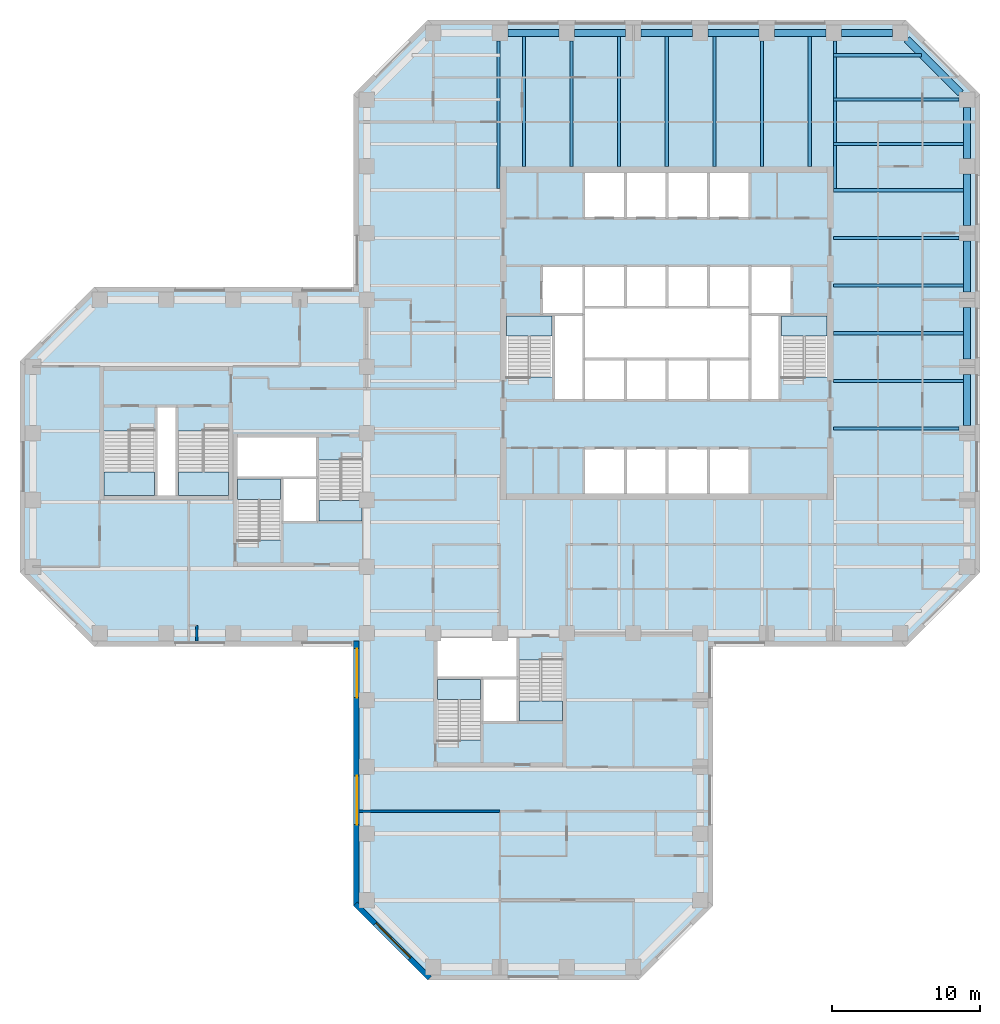
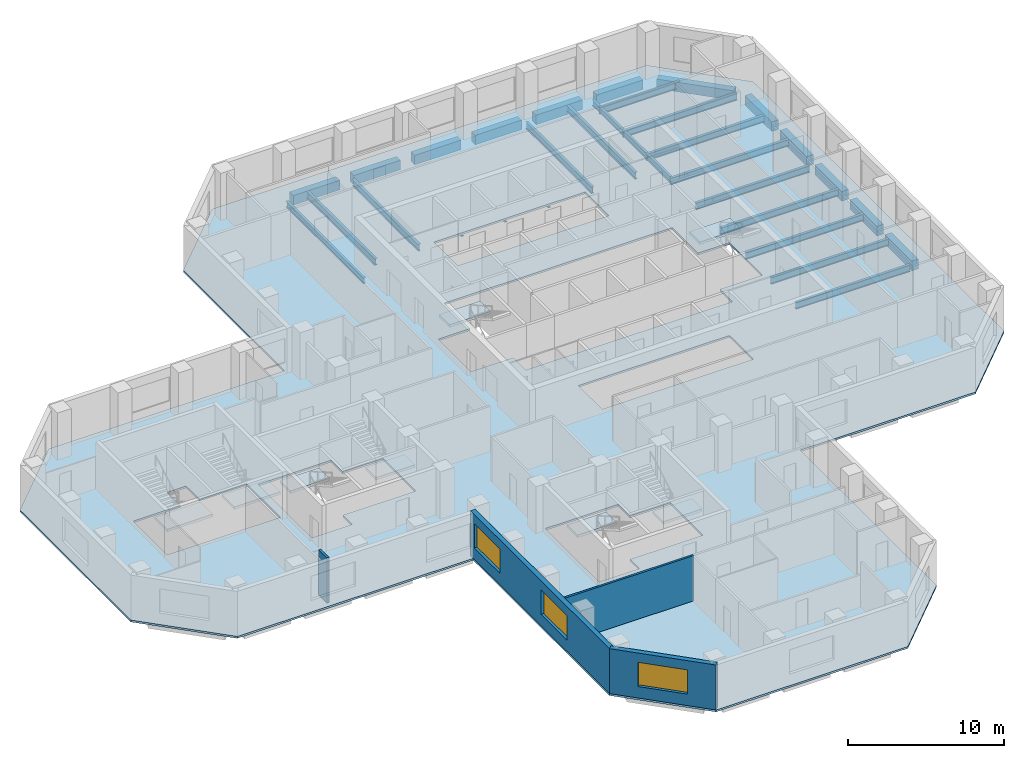
# One storey, part 2 of 11: 30 beams, 9 slabs, 4 walls, 3 windows, 3 openings, 8 elements without a shape of their own.
"""IFC4 building model written with IfcOpenShell, lengths in metres."""

from ifc_helpers import new_model, si_unit, direction, frame, frame_2d, origin, origin_2d, place, context, subcontext, project, spatial, polyline, rectangle, i_section, outline, extrude, material, layer, layer_set, constituent, constituent_set, material_profile, profile_set, type_object, element, fill, aggregate, save


model = new_model("IFC4")

# Units and contexts
model_context = context("Model", 3, precision=1e-05, world=origin(), true_north=direction((0.0, 1.0)))
body_context = subcontext(model_context, "Body", "Model", "MODEL_VIEW")
ifc_project = project(units=[si_unit("LENGTHUNIT", "METRE"), si_unit("AREAUNIT", "SQUARE_METRE"), si_unit("VOLUMEUNIT", "CUBIC_METRE"), si_unit("PLANEANGLEUNIT", "RADIAN"), si_unit("MASSUNIT", "GRAM", prefix="KILO")], contexts=[model_context])

# Site, building, storey
site_placement = place(None, origin())
site = spatial("IfcSite", under=ifc_project, at=site_placement, CompositionType="ELEMENT")
building_placement = place(site_placement, origin())
building = spatial("IfcBuilding", under=site, at=building_placement, Name="Quoin Convention Tower", CompositionType="ELEMENT")
storey_placement = place(building_placement, frame((0.0, 0.0, 101.10009765625)))
storey = spatial("IfcBuildingStorey", under=building, at=storey_placement, Name="L26", CompositionType="ELEMENT", Elevation=101.10009765625)

# Beams
ifc_material_1 = material(Name="Steel Grade 300", Category="steel")
ifc_material_profile_1 = material_profile(ifc_material_1, i_section(OverallWidth=0.18994140625, OverallDepth=0.4541015625, WebThickness=0.008544921875, FlangeThickness=0.0126953125, FilletRadius=0.011474609375, at=origin_2d()), Name="460UB67.1")
ifc_profile_set_1 = profile_set([ifc_material_profile_1], Name="Steel Grade 300")
beam_type_1 = type_object("IfcBeamType", Name="460UB67.1", PredefinedType="BEAM", material=ifc_profile_set_1)
for number, where, z_axis, x_axis, name in (
    (1, (44.8955078125, 80.47509765625, -0.377197265625), (0.0, -1.0, 0.0), (1.0, 0.0, 0.0), "gir-L26-T1NW"),
    (2, (67.6044921875, 80.47509765625, -0.377197265625), (0.0, -1.0, 0.0), (1.0, 0.0, 0.0), "gir-L26-T1NE"),
):
    element("IfcBeam", number, at=place(storey_placement, frame(where, z_axis=z_axis, x_axis=x_axis)), inside=storey, type_object=beam_type_1, Name=name, PredefinedType="BEAM", context=body_context, shape_type="SweptSolid", body=[
        extrude(i_section(OverallWidth=0.18994140625, OverallDepth=0.4541015625, WebThickness=0.008544921875, FlangeThickness=0.0126953125, FilletRadius=0.011474609375, at=origin_2d()), origin(), (0.0, 0.0, 1.0), 9.977783203125),
    ])
ifc_material_profile_2 = material_profile(ifc_material_1, i_section(OverallWidth=0.208984375, OverallDepth=0.528076171875, WebThickness=0.009521484375, FlangeThickness=0.01318359375, FilletRadius=0.013916015625, at=origin_2d()), Name="530UB82.0")
ifc_profile_set_2 = profile_set([ifc_material_profile_2], Name="Steel Grade 300")
beam_type_2 = type_object("IfcBeamType", Name="530UB82.0", PredefinedType="BEAM", material=ifc_profile_set_2)
beam_1_placement = place(storey_placement, frame((67.5, 54.3212890625, -0.4140625), z_axis=(1.0, 0.0, 0.0), x_axis=(0.0, 1.0, 0.0)))
element("IfcBeam", 3, at=beam_1_placement, inside=storey, type_object=beam_type_2, Name="bm-L26-T1E1", PredefinedType="BEAM", context=body_context, shape_type="SweptSolid", body=[
    extrude(i_section(OverallWidth=0.208984375, OverallDepth=0.528076171875, WebThickness=0.009521484375, FlangeThickness=0.01318359375, FilletRadius=0.013916015625, at=origin_2d()), origin(), (0.0, 0.0, 1.0), 8.47509765625),
])
for number, where, z_axis, x_axis, name in (
    (4, (67.5, 57.53564453125, -0.4140625), (1.0, 0.0, 0.0), (0.0, 1.0, 0.0), "bm-L26-T1E2"),
    (5, (67.5, 60.75, -0.4140625), (1.0, 0.0, 0.0), (0.0, 1.0, 0.0), "bm-L26-T1E3"),
    (6, (67.5, 63.96435546875, -0.4140625), (1.0, 0.0, 0.0), (0.0, 1.0, 0.0), "bm-L26-T1E4"),
):
    element("IfcBeam", number, at=place(storey_placement, frame(where, z_axis=z_axis, x_axis=x_axis)), inside=storey, type_object=beam_type_2, Name=name, PredefinedType="BEAM", context=body_context, shape_type="SweptSolid", body=[
        extrude(i_section(OverallWidth=0.208984375, OverallDepth=0.528076171875, WebThickness=0.009521484375, FlangeThickness=0.01318359375, FilletRadius=0.013916015625, at=origin_2d()), origin(), (0.0, 0.0, 1.0), 8.75),
    ])
beam_2_placement = place(storey_placement, frame((67.5, 67.1787109375, -0.4140625), z_axis=(1.0, 0.0, 0.0), x_axis=(0.0, 1.0, 0.0)))
element("IfcBeam", 7, at=beam_2_placement, inside=storey, type_object=beam_type_2, Name="bm-L26-T1E5", PredefinedType="BEAM", context=body_context, shape_type="SweptSolid", body=[
    extrude(i_section(OverallWidth=0.208984375, OverallDepth=0.528076171875, WebThickness=0.009521484375, FlangeThickness=0.01318359375, FilletRadius=0.013916015625, at=origin_2d()), origin(), (0.0, 0.0, 1.0), 8.47509765625),
])
for number, where, z_axis, x_axis, name in (
    (8, (67.5, 70.392822265625, -0.4140625), (1.0, 0.0, 0.0), (0.0, 1.0, 0.0), "bm-L26-T1E6"),
    (9, (46.607177734375, 72.0, -0.4140625), (0.0, 1.0, 0.0), (-1.0, 0.0, 0.0), "bm-L26-T1N0"),
):
    element("IfcBeam", number, at=place(storey_placement, frame(where, z_axis=z_axis, x_axis=x_axis)), inside=storey, type_object=beam_type_2, Name=name, PredefinedType="BEAM", context=body_context, shape_type="SweptSolid", body=[
        extrude(i_section(OverallWidth=0.208984375, OverallDepth=0.528076171875, WebThickness=0.009521484375, FlangeThickness=0.01318359375, FilletRadius=0.013916015625, at=origin_2d()), origin(), (0.0, 0.0, 1.0), 8.75),
    ])
beam_3_placement = place(storey_placement, frame((49.8212890625, 72.0, -0.4140625), z_axis=(0.0, 1.0, 0.0), x_axis=(-1.0, 0.0, 0.0)))
element("IfcBeam", 10, at=beam_3_placement, inside=storey, type_object=beam_type_2, Name="bm-L26-T1N1", PredefinedType="BEAM", context=body_context, shape_type="SweptSolid", body=[
    extrude(i_section(OverallWidth=0.208984375, OverallDepth=0.528076171875, WebThickness=0.009521484375, FlangeThickness=0.01318359375, FilletRadius=0.013916015625, at=origin_2d()), origin(), (0.0, 0.0, 1.0), 8.47509765625),
])
for number, where, z_axis, x_axis, name in (
    (11, (53.03564453125, 72.0, -0.4140625), (0.0, 1.0, 0.0), (-1.0, 0.0, 0.0), "bm-L26-T1N2"),
    (12, (56.25, 72.0, -0.4140625), (0.0, 1.0, 0.0), (-1.0, 0.0, 0.0), "bm-L26-T1N3"),
    (13, (59.46435546875, 72.0, -0.4140625), (0.0, 1.0, 0.0), (-1.0, 0.0, 0.0), "bm-L26-T1N4"),
):
    element("IfcBeam", number, at=place(storey_placement, frame(where, z_axis=z_axis, x_axis=x_axis)), inside=storey, type_object=beam_type_2, Name=name, PredefinedType="BEAM", context=body_context, shape_type="SweptSolid", body=[
        extrude(i_section(OverallWidth=0.208984375, OverallDepth=0.528076171875, WebThickness=0.009521484375, FlangeThickness=0.01318359375, FilletRadius=0.013916015625, at=origin_2d()), origin(), (0.0, 0.0, 1.0), 8.75),
    ])
beam_4_placement = place(storey_placement, frame((62.6787109375, 72.0, -0.4140625), z_axis=(0.0, 1.0, 0.0), x_axis=(-1.0, 0.0, 0.0)))
element("IfcBeam", 14, at=beam_4_placement, inside=storey, type_object=beam_type_2, Name="bm-L26-T1N5", PredefinedType="BEAM", context=body_context, shape_type="SweptSolid", body=[
    extrude(i_section(OverallWidth=0.208984375, OverallDepth=0.528076171875, WebThickness=0.009521484375, FlangeThickness=0.01318359375, FilletRadius=0.013916015625, at=origin_2d()), origin(), (0.0, 0.0, 1.0), 8.47509765625),
])
beam_5_placement = place(storey_placement, frame((65.892822265625, 72.0, -0.4140625), z_axis=(0.0, 1.0, 0.0), x_axis=(-1.0, 0.0, 0.0)))
element("IfcBeam", 15, at=beam_5_placement, inside=storey, type_object=beam_type_2, Name="bm-L26-T1N6", PredefinedType="BEAM", context=body_context, shape_type="SweptSolid", body=[
    extrude(i_section(OverallWidth=0.208984375, OverallDepth=0.528076171875, WebThickness=0.009521484375, FlangeThickness=0.01318359375, FilletRadius=0.013916015625, at=origin_2d()), origin(), (0.0, 0.0, 1.0), 8.75),
])
beam_6_placement = place(storey_placement, frame((67.5, 79.5, -0.4140625), z_axis=(1.0, 0.0, 0.0), x_axis=(0.0, 1.0, 0.0)))
element("IfcBeam", 16, at=beam_6_placement, inside=storey, type_object=beam_type_2, Name="bm-L26-T1NE0", PredefinedType="BEAM", context=body_context, shape_type="SweptSolid", body=[
    extrude(i_section(OverallWidth=0.208984375, OverallDepth=0.528076171875, WebThickness=0.009521484375, FlangeThickness=0.01318359375, FilletRadius=0.013916015625, at=origin_2d()), origin(), (0.0, 0.0, 1.0), 5.927734375),
])
beam_7_placement = place(storey_placement, frame((67.5, 76.5, -0.4140625), z_axis=(1.0, 0.0, 0.0), x_axis=(0.0, 1.0, 0.0)))
element("IfcBeam", 17, at=beam_7_placement, inside=storey, type_object=beam_type_2, Name="bm-L26-T1NE1", PredefinedType="BEAM", context=body_context, shape_type="SweptSolid", body=[
    extrude(i_section(OverallWidth=0.208984375, OverallDepth=0.528076171875, WebThickness=0.009521484375, FlangeThickness=0.01318359375, FilletRadius=0.013916015625, at=origin_2d()), origin(), (0.0, 0.0, 1.0), 8.47509765625),
])
beam_8_placement = place(storey_placement, frame((67.5, 73.5, -0.4140625), z_axis=(1.0, 0.0, 0.0), x_axis=(0.0, 1.0, 0.0)))
element("IfcBeam", 18, at=beam_8_placement, inside=storey, type_object=beam_type_2, Name="bm-L26-T1NE2", PredefinedType="BEAM", context=body_context, shape_type="SweptSolid", body=[
    extrude(i_section(OverallWidth=0.208984375, OverallDepth=0.528076171875, WebThickness=0.009521484375, FlangeThickness=0.01318359375, FilletRadius=0.013916015625, at=origin_2d()), origin(), (0.0, 0.0, 1.0), 8.75),
])
ifc_material_2 = material(Name="Concrete C65", Category="concrete")
ifc_material_profile_3 = material_profile(ifc_material_2, rectangle(XDim=0.5, YDim=0.75, at=origin_2d()), Name="RC 500x750")
ifc_profile_set_3 = profile_set([ifc_material_profile_3], Name="Concrete C65")
beam_type_3 = type_object("IfcBeamType", Name="RC 500x750 C65", PredefinedType="SPANDREL", material=ifc_profile_set_3)
for number, where, z_axis, x_axis, name in (
    (19, (76.5, 54.52490234375, -0.525146484375), (0.0, 1.0, 0.0), (-1.0, 0.0, 0.0), "spd-L26-76500_54000-76500_58500"),
    (20, (76.5, 59.02490234375, -0.525146484375), (0.0, 1.0, 0.0), (-1.0, 0.0, 0.0), "spd-L26-76500_58500-76500_63000"),
    (21, (76.5, 63.52490234375, -0.525146484375), (0.0, 1.0, 0.0), (-1.0, 0.0, 0.0), "spd-L26-76500_63000-76500_67500"),
    (22, (76.5, 68.02490234375, -0.525146484375), (0.0, 1.0, 0.0), (-1.0, 0.0, 0.0), "spd-L26-76500_67500-76500_72000"),
    (23, (76.5, 72.52490234375, -0.525146484375), (0.0, 1.0, 0.0), (-1.0, 0.0, 0.0), "spd-L26-76500_72000-76500_76500"),
):
    element("IfcBeam", number, at=place(storey_placement, frame(where, z_axis=z_axis, x_axis=x_axis)), inside=storey, type_object=beam_type_3, Name=name, PredefinedType="SPANDREL", context=body_context, shape_type="SweptSolid", body=[
        extrude(rectangle(XDim=0.5, YDim=0.75, at=origin_2d()), origin(), (0.0, 0.0, 1.0), 3.4501953125),
    ])
beam_9_placement = place(storey_placement, frame((76.059814453125, 76.940185546875, -0.525146484375), z_axis=(-0.707106781187, 0.707106781187, 0.0), x_axis=(-0.707106781187, -0.707106781187, 0.0)))
element("IfcBeam", 24, at=beam_9_placement, inside=storey, type_object=beam_type_3, Name="spd-L26-76500_76500-72000_81000", PredefinedType="SPANDREL", context=body_context, shape_type="SweptSolid", body=[
    extrude(rectangle(XDim=0.5, YDim=0.75, at=origin_2d()), origin(), (0.0, 0.0, 1.0), 5.118896484375),
])
for number, where, z_axis, x_axis, name in (
    (25, (71.47509765625, 81.0, -0.525146484375), (-1.0, 0.0, 0.0), (0.0, -1.0, 0.0), "spd-L26-72000_81000-67500_81000"),
    (26, (66.97509765625, 81.0, -0.525146484375), (-1.0, 0.0, 0.0), (0.0, -1.0, 0.0), "spd-L26-67500_81000-63000_81000"),
    (27, (62.47509765625, 81.0, -0.525146484375), (-1.0, 0.0, 0.0), (0.0, -1.0, 0.0), "spd-L26-63000_81000-58500_81000"),
    (28, (57.97509765625, 81.0, -0.525146484375), (-1.0, 0.0, 0.0), (0.0, -1.0, 0.0), "spd-L26-58500_81000-54000_81000"),
    (29, (53.47509765625, 81.0, -0.525146484375), (-1.0, 0.0, 0.0), (0.0, -1.0, 0.0), "spd-L26-54000_81000-49500_81000"),
    (30, (48.97509765625, 81.0, -0.525146484375), (-1.0, 0.0, 0.0), (0.0, -1.0, 0.0), "spd-L26-49500_81000-45000_81000"),
):
    element("IfcBeam", number, at=place(storey_placement, frame(where, z_axis=z_axis, x_axis=x_axis)), inside=storey, type_object=beam_type_3, Name=name, PredefinedType="SPANDREL", context=body_context, shape_type="SweptSolid", body=[
        extrude(rectangle(XDim=0.5, YDim=0.75, at=origin_2d()), origin(), (0.0, 0.0, 1.0), 3.4501953125),
    ])

# Slab
ifc_material_3 = material(Name="Concrete C40", Category="concrete")
ifc_layer_1 = layer(ifc_material_3, 0.14990234375)
ifc_layer_set_1 = layer_set([ifc_layer_1], Name="Concrete C40")
slab_type_1 = type_object("IfcSlabType", Name="COMPOSITE SLAB 150 C40", PredefinedType="FLOOR", material=ifc_layer_set_1)
slab_1_placement = place(storey_placement, frame((0.0, 0.0, -0.150146484375)))
element("IfcSlab", 31, at=slab_1_placement, inside=storey, type_object=slab_type_1, Name="slb-L26", PredefinedType="FLOOR", context=body_context, shape_type="SweptSolid", body=[
    extrude(outline(polyline([(59.375, 22.1376953125), (54.3623046875, 17.125), (40.1376953125, 17.125), (35.125, 22.1376953125), (35.125, 39.625), (17.6376953125, 39.625), (12.625, 44.6376953125), (12.625, 58.8623046875), (17.6376953125, 63.875), (35.125, 63.875), (35.125, 76.8623046875), (40.1376953125, 81.875), (72.3623046875, 81.875), (77.375, 76.8623046875), (77.375, 44.6376953125), (72.3623046875, 39.625), (59.375, 39.625), (59.375, 22.1376953125)]), holes=[polyline([(40.800048828125, 40.199951171875), (40.800048828125, 37.5), (40.800048828125, 33.300537109375), (43.800048828125, 33.300537109375), (43.800048828125, 34.5), (46.199951171875, 34.5), (49.199951171875, 34.5), (49.199951171875, 38.699462890625), (46.199951171875, 38.699462890625), (46.199951171875, 40.199951171875), (40.800048828125, 40.199951171875)]), polyline([(35.699951171875, 52.199462890625), (32.699951171875, 52.199462890625), (32.699951171875, 53.699951171875), (27.300048828125, 53.699951171875), (27.300048828125, 51.0), (27.300048828125, 46.800537109375), (30.300048828125, 46.800537109375), (30.300048828125, 48.0), (32.699951171875, 48.0), (35.699951171875, 48.0), (35.699951171875, 52.199462890625)]), polyline([(53.449951171875, 49.949951171875), (56.25, 49.949951171875), (59.050048828125, 49.949951171875), (61.85009765625, 49.949951171875), (61.85009765625, 53.0), (59.050048828125, 53.0), (56.25, 53.0), (53.449951171875, 53.0), (50.64990234375, 53.0), (50.64990234375, 49.949951171875), (53.449951171875, 49.949951171875)]), polyline([(21.800048828125, 55.85009765625), (21.800048828125, 54.1494140625), (18.300048828125, 54.1494140625), (18.300048828125, 49.800048828125), (21.800048828125, 49.800048828125), (23.199951171875, 49.800048828125), (26.699951171875, 49.800048828125), (26.699951171875, 54.1494140625), (23.199951171875, 54.1494140625), (23.199951171875, 55.85009765625), (21.800048828125, 55.85009765625)]), polyline([(48.60009765625, 57.800537109375), (48.60009765625, 56.199951171875), (50.64990234375, 56.199951171875), (53.449951171875, 56.199951171875), (56.25, 56.199951171875), (59.050048828125, 56.199951171875), (61.85009765625, 56.199951171875), (63.89990234375, 56.199951171875), (63.89990234375, 57.800537109375), (67.050048828125, 57.800537109375), (67.050048828125, 62.0), (64.699951171875, 62.0), (64.699951171875, 65.300048828125), (61.85009765625, 65.300048828125), (59.050048828125, 65.300048828125), (56.25, 65.300048828125), (53.449951171875, 65.300048828125), (50.64990234375, 65.300048828125), (47.800048828125, 65.300048828125), (47.800048828125, 62.0), (45.449951171875, 62.0), (45.449951171875, 57.800537109375), (48.60009765625, 57.800537109375)]), polyline([(50.64990234375, 68.5), (53.449951171875, 68.5), (56.25, 68.5), (59.050048828125, 68.5), (61.85009765625, 68.5), (61.85009765625, 71.550048828125), (59.050048828125, 71.550048828125), (56.25, 71.550048828125), (53.449951171875, 71.550048828125), (50.64990234375, 71.550048828125), (50.64990234375, 68.5)])]), origin(), (0.0, 0.0, 1.0), 0.150146484375),
])

# Stair, slab
stair_type_1 = type_object("IfcStairType", Name="Exit stair two-flight 1350", PredefinedType="HALF_TURN_STAIR", material=ifc_material_3)
stair_1_placement = place(storey_placement, origin())
stair_1 = element("IfcStair", 32, at=stair_1_placement, inside=storey, type_object=stair_type_1, Name="SD1 L26", PredefinedType="HALF_TURN_STAIR")
ifc_layer_2 = layer(ifc_material_3, 0.199951171875)
ifc_layer_set_2 = layer_set([ifc_layer_2], Name="Concrete C40")
slab_type_2 = type_object("IfcSlabType", Name="Stair landing 200", PredefinedType="LANDING", material=ifc_layer_set_2)
slab_2_placement = place(storey_placement, frame((0.0, 0.0, 1.792236328125)))
slab_2 = element("IfcSlab", 33, at=slab_2_placement, type_object=slab_type_2, Name="ST1 landing 1", PredefinedType="LANDING", context=body_context, shape_type="SweptSolid", body=[
    extrude(outline(polyline([(45.449951171875, 60.550048828125), (48.5, 60.550048828125), (48.5, 61.89990234375), (45.449951171875, 61.89990234375), (45.449951171875, 60.550048828125)])), origin(), (0.0, 0.0, 1.0), 0.199951171875),
])
aggregate(stair_1, [slab_2])

stair_2_placement = place(storey_placement, origin())
stair_2 = element("IfcStair", 34, at=stair_2_placement, inside=storey, type_object=stair_type_1, Name="SD2 L26", PredefinedType="HALF_TURN_STAIR")
slab_3_placement = place(storey_placement, frame((0.0, 0.0, 1.792236328125)))
slab_3 = element("IfcSlab", 35, at=slab_3_placement, type_object=slab_type_2, Name="ST2 landing 1", PredefinedType="LANDING", context=body_context, shape_type="SweptSolid", body=[
    extrude(outline(polyline([(64.0, 60.550048828125), (67.050048828125, 60.550048828125), (67.050048828125, 61.89990234375), (64.0, 61.89990234375), (64.0, 60.550048828125)])), origin(), (0.0, 0.0, 1.0), 0.199951171875),
])
aggregate(stair_2, [slab_3])

stair_3_placement = place(storey_placement, origin())
stair_3 = element("IfcStair", 36, at=stair_3_placement, inside=storey, type_object=stair_type_1, Name="SD3 L26", PredefinedType="HALF_TURN_STAIR")
slab_4_placement = place(storey_placement, frame((0.0, 0.0, 1.792236328125)))
slab_4 = element("IfcSlab", 37, at=slab_4_placement, type_object=slab_type_2, Name="ST3 landing 1", PredefinedType="LANDING", context=body_context, shape_type="SweptSolid", body=[
    extrude(outline(polyline([(27.300048828125, 49.550048828125), (30.199951171875, 49.550048828125), (30.199951171875, 50.89990234375), (27.300048828125, 50.89990234375), (27.300048828125, 49.550048828125)])), origin(), (0.0, 0.0, 1.0), 0.199951171875),
])
aggregate(stair_3, [slab_4])

stair_4_placement = place(storey_placement, origin())
stair_4 = element("IfcStair", 38, at=stair_4_placement, inside=storey, type_object=stair_type_1, Name="SD4 L26", PredefinedType="HALF_TURN_STAIR")
slab_5_placement = place(storey_placement, frame((0.0, 0.0, 1.792236328125)))
slab_5 = element("IfcSlab", 39, at=slab_5_placement, type_object=slab_type_2, Name="ST4 landing 1", PredefinedType="LANDING", context=body_context, shape_type="SweptSolid", body=[
    extrude(outline(polyline([(35.699951171875, 49.449951171875), (32.800048828125, 49.449951171875), (32.800048828125, 48.10009765625), (35.699951171875, 48.10009765625), (35.699951171875, 49.449951171875)])), origin(), (0.0, 0.0, 1.0), 0.199951171875),
])
aggregate(stair_4, [slab_5])

stair_5_placement = place(storey_placement, origin())
stair_5 = element("IfcStair", 40, at=stair_5_placement, inside=storey, type_object=stair_type_1, Name="SD5 L26", PredefinedType="HALF_TURN_STAIR")
slab_6_placement = place(storey_placement, frame((0.0, 0.0, 1.792236328125)))
slab_6 = element("IfcSlab", 41, at=slab_6_placement, type_object=slab_type_2, Name="ST5 landing 1", PredefinedType="LANDING", context=body_context, shape_type="SweptSolid", body=[
    extrude(outline(polyline([(40.800048828125, 36.050048828125), (43.699951171875, 36.050048828125), (43.699951171875, 37.39990234375), (40.800048828125, 37.39990234375), (40.800048828125, 36.050048828125)])), origin(), (0.0, 0.0, 1.0), 0.199951171875),
])
aggregate(stair_5, [slab_6])

stair_6_placement = place(storey_placement, origin())
stair_6 = element("IfcStair", 42, at=stair_6_placement, inside=storey, type_object=stair_type_1, Name="SD6 L26", PredefinedType="HALF_TURN_STAIR")
slab_7_placement = place(storey_placement, frame((0.0, 0.0, 1.792236328125)))
slab_7 = element("IfcSlab", 43, at=slab_7_placement, type_object=slab_type_2, Name="ST6 landing 1", PredefinedType="LANDING", context=body_context, shape_type="SweptSolid", body=[
    extrude(outline(polyline([(49.199951171875, 35.949951171875), (46.300048828125, 35.949951171875), (46.300048828125, 34.60009765625), (49.199951171875, 34.60009765625), (49.199951171875, 35.949951171875)])), origin(), (0.0, 0.0, 1.0), 0.199951171875),
])
aggregate(stair_6, [slab_7])

stair_type_2 = type_object("IfcStairType", Name="Exit stair two-flight 1600", PredefinedType="HALF_TURN_STAIR", material=ifc_material_3)
stair_7_placement = place(storey_placement, origin())
stair_7 = element("IfcStair", 44, at=stair_7_placement, inside=storey, type_object=stair_type_2, Name="SD11 L26", PredefinedType="HALF_TURN_STAIR")
slab_8_placement = place(storey_placement, frame((0.0, 0.0, 1.792236328125)))
slab_8 = element("IfcSlab", 45, at=slab_8_placement, type_object=slab_type_2, Name="ST11 landing 1", PredefinedType="LANDING", context=body_context, shape_type="SweptSolid", body=[
    extrude(outline(polyline([(21.699951171875, 51.39990234375), (18.300048828125, 51.39990234375), (18.300048828125, 49.800048828125), (21.699951171875, 49.800048828125), (21.699951171875, 51.39990234375)])), origin(), (0.0, 0.0, 1.0), 0.199951171875),
])
aggregate(stair_7, [slab_8])

stair_8_placement = place(storey_placement, origin())
stair_8 = element("IfcStair", 46, at=stair_8_placement, inside=storey, type_object=stair_type_2, Name="SD12 L26", PredefinedType="HALF_TURN_STAIR")
slab_9_placement = place(storey_placement, frame((0.0, 0.0, 1.792236328125)))
slab_9 = element("IfcSlab", 47, at=slab_9_placement, type_object=slab_type_2, Name="ST12 landing 1", PredefinedType="LANDING", context=body_context, shape_type="SweptSolid", body=[
    extrude(outline(polyline([(26.699951171875, 51.39990234375), (23.300048828125, 51.39990234375), (23.300048828125, 49.800048828125), (26.699951171875, 49.800048828125), (26.699951171875, 51.39990234375)])), origin(), (0.0, 0.0, 1.0), 0.199951171875),
])
aggregate(stair_8, [slab_9])

# Wall, openings, windows
ifc_material_4 = material(Name="Brick masonry", Category="masonry")
ifc_layer_3 = layer(ifc_material_4, 0.35009765625)
ifc_layer_set_3 = layer_set([ifc_layer_3], Name="Brick masonry")
wall_type_1 = type_object("IfcWallType", Name="Brick facade wall", PredefinedType="STANDARD", material=ifc_layer_set_3)
wall_1_placement = place(storey_placement, frame((35.300048828125, 39.97509765625, 0.0), z_axis=(0.0, 0.0, 1.0), x_axis=(0.0, -1.0, 0.0)))
wall_1 = element("IfcWall", 48, at=wall_1_placement, inside=storey, type_object=wall_type_1, Name="fw-L26-36000_40500", PredefinedType="STANDARD", context=body_context, shape_type="SweptSolid", body=[
    extrude(rectangle(XDim=17.83740234375, YDim=0.35009765625, at=frame_2d((8.918701171875, 0.0))), origin(), (0.0, 0.0, 1.0), 3.52490234375),
])
opening_1_placement = place(wall_1_placement, frame((0.5, 0.0, 0.89990234375)))
opening_1 = element("IfcOpeningElement", 49, at=opening_1_placement, cuts=wall_1, Name="Opening W-02", PredefinedType="OPENING", context=body_context, shape_type="SweptSolid", body=[
    extrude(rectangle(XDim=3.300048828125, YDim=1.89990234375, at=frame_2d((1.64990234375, 0.949951171875))), frame((0.0, 0.18505859375, 0.0), z_axis=(0.0, -1.0, 0.0), x_axis=(1.0, 0.0, 0.0)), (0.0, 0.0, 1.0), 0.3701171875),
])
opening_2_placement = place(wall_1_placement, frame((9.074951171875, 0.0, 0.89990234375)))
opening_2 = element("IfcOpeningElement", 50, at=opening_2_placement, cuts=wall_1, Name="Opening W-02", PredefinedType="OPENING", context=body_context, shape_type="SweptSolid", body=[
    extrude(rectangle(XDim=3.300048828125, YDim=1.89990234375, at=frame_2d((1.64990234375, 0.949951171875))), frame((0.0, 0.18505859375, 0.0), z_axis=(0.0, -1.0, 0.0), x_axis=(1.0, 0.0, 0.0)), (0.0, 0.0, 1.0), 0.3701171875),
])
ifc_material_5 = material(Name="Aluminium", Category="aluminium")
ifc_constituent_1 = constituent(ifc_material_5, Name="Frame")
ifc_material_6 = material(Name="Insulated glass", Category="glass")
ifc_constituent_2 = constituent(ifc_material_6, Name="Glazing")
ifc_constituent_set = constituent_set(constituents=[ifc_constituent_1, ifc_constituent_2], Name="Aluminium")
window_type = type_object("IfcWindowType", Name="Office window", PartitioningType="DOUBLE_PANEL_VERTICAL", PredefinedType="WINDOW", material=ifc_constituent_set)
window_1_placement = place(opening_1_placement, origin())
window_1 = element("IfcWindow", 51, at=window_1_placement, inside=storey, type_object=window_type, Name="win-L26-35300_38250", OverallHeight=1.89990234375, OverallWidth=3.300048828125, PartitioningType="SINGLE_PANEL", PredefinedType="WINDOW", context=body_context, shape_type="SweptSolid", body=[
    extrude(rectangle(XDim=3.300048828125, YDim=1.89990234375, at=frame_2d((1.64990234375, 0.949951171875))), frame((0.0, 0.0849609375, 0.0), z_axis=(0.0, -1.0, 0.0), x_axis=(1.0, 0.0, 0.0)), (0.0, 0.0, 1.0), 0.06005859375),
])
fill(opening_1, window_1)
window_2_placement = place(opening_2_placement, origin())
window_2 = element("IfcWindow", 52, at=window_2_placement, inside=storey, type_object=window_type, Name="win-L26-35300_29250", OverallHeight=1.89990234375, OverallWidth=3.300048828125, PartitioningType="SINGLE_PANEL", PredefinedType="WINDOW", context=body_context, shape_type="SweptSolid", body=[
    extrude(rectangle(XDim=3.300048828125, YDim=1.89990234375, at=frame_2d((1.64990234375, 0.949951171875))), frame((0.0, 0.0849609375, 0.0), z_axis=(0.0, -1.0, 0.0), x_axis=(1.0, 0.0, 0.0)), (0.0, 0.0, 1.0), 0.06005859375),
])
fill(opening_2, window_2)

# Wall, opening, window
wall_2_placement = place(storey_placement, frame((35.248779296875, 22.26123046875, 0.0), z_axis=(0.0, 0.0, 1.0), x_axis=(0.707106781187, -0.707106781187, 0.0)))
wall_2 = element("IfcWall", 53, at=wall_2_placement, inside=storey, type_object=wall_type_1, Name="fw-L26-36000_22500", PredefinedType="STANDARD", context=body_context, shape_type="SweptSolid", body=[
    extrude(rectangle(XDim=7.088623046875, YDim=0.35009765625, at=frame_2d((3.54443359375, 0.0))), origin(), (0.0, 0.0, 1.0), 3.52490234375),
])
opening_3_placement = place(wall_2_placement, frame((1.894287109375, 0.0, 0.89990234375)))
opening_3 = element("IfcOpeningElement", 54, at=opening_3_placement, cuts=wall_2, Name="Opening W-02", PredefinedType="OPENING", context=body_context, shape_type="SweptSolid", body=[
    extrude(rectangle(XDim=3.300048828125, YDim=1.89990234375, at=frame_2d((1.64990234375, 0.949951171875))), frame((0.0, 0.18505859375, 0.0), z_axis=(0.0, -1.0, 0.0), x_axis=(1.0, 0.0, 0.0)), (0.0, 0.0, 1.0), 0.3701171875),
])
window_3_placement = place(opening_3_placement, origin())
window_3 = element("IfcWindow", 55, at=window_3_placement, inside=storey, type_object=window_type, Name="win-L26-37755_19755", OverallHeight=1.89990234375, OverallWidth=3.300048828125, PartitioningType="SINGLE_PANEL", PredefinedType="WINDOW", context=body_context, shape_type="SweptSolid", body=[
    extrude(rectangle(XDim=3.300048828125, YDim=1.89990234375, at=frame_2d((1.64990234375, 0.949951171875))), frame((0.0, 0.0849609375, 0.0), z_axis=(0.0, -1.0, 0.0), x_axis=(1.0, 0.0, 0.0)), (0.0, 0.0, 1.0), 0.06005859375),
])
fill(opening_3, window_3)

# Walls
ifc_material_7 = material(Name="Plasterboard")
ifc_layer_4 = layer(ifc_material_7, 0.012451171875, Name="Finish")
ifc_material_8 = material(Name="Steel stud framing", Category="steel")
ifc_layer_5 = layer(ifc_material_8, 0.125, Name="Structure")
ifc_layer_6 = layer(ifc_material_7, 0.012451171875, Name="Finish")
ifc_layer_set_4 = layer_set([ifc_layer_4, ifc_layer_5, ifc_layer_6], Name="Steel stud framing")
wall_type_2 = type_object("IfcWallType", Name="Corridor wall 150", PredefinedType="PARTITIONING", material=ifc_layer_set_4)
wall_3_placement = place(storey_placement, frame((35.47509765625, 28.5, 0.0), z_axis=(0.0, 0.0, 1.0), x_axis=(1.0, 0.0, 0.0)))
element("IfcWall", 56, at=wall_3_placement, inside=storey, type_object=wall_type_2, Name="pw-L26-004", PredefinedType="PARTITIONING", context=body_context, shape_type="SweptSolid", body=[
    extrude(rectangle(XDim=9.52490234375, YDim=0.14990234375, at=frame_2d((4.762451171875, 0.0))), origin(), (0.0, 0.0, 1.0), 3.5498046875),
])
wall_4_placement = place(storey_placement, frame((24.544921875, 39.97509765625, 0.0), z_axis=(0.0, 0.0, 1.0), x_axis=(0.0, 1.0, 0.0)))
element("IfcWall", 57, at=wall_4_placement, inside=storey, type_object=wall_type_2, Name="pw-L26-w07", PredefinedType="PARTITIONING", context=body_context, shape_type="SweptSolid", body=[
    extrude(rectangle(XDim=1.0498046875, YDim=0.14990234375, at=frame_2d((0.52490234375, 0.0))), origin(), (0.0, 0.0, 1.0), 3.5498046875),
])

save(model, "model.ifc")
